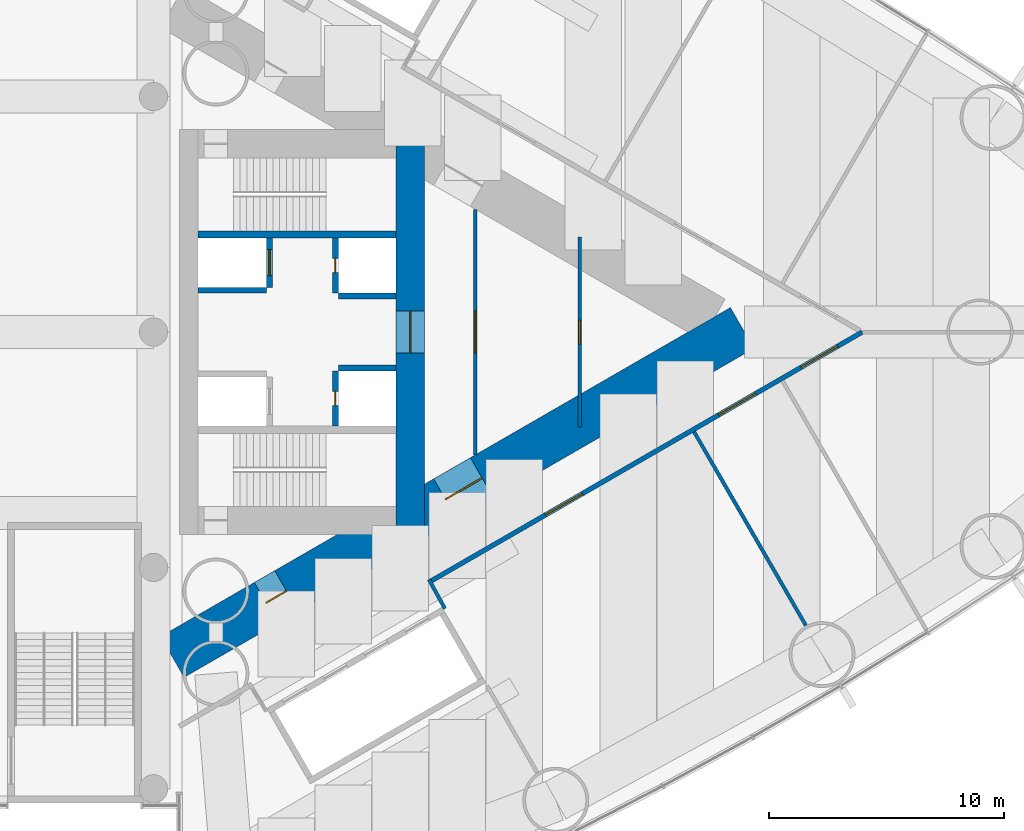
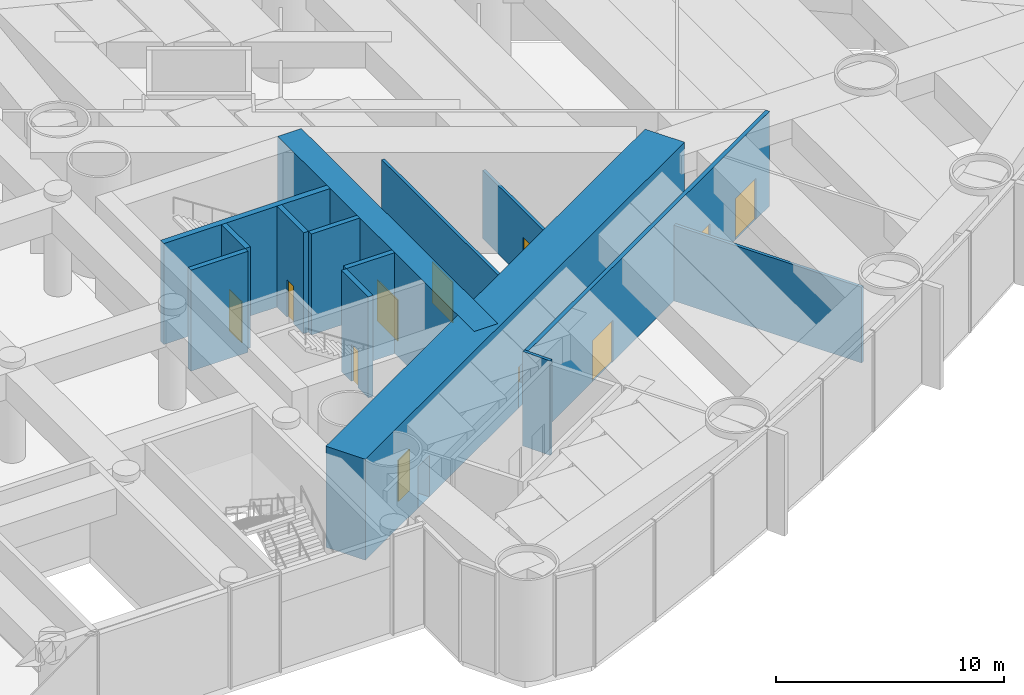
# One storey, part 17 of 20: 14 walls, 11 doors, 11 openings.
"""IFC4 building model written with IfcOpenShell, lengths in metres."""

from ifc_helpers import new_model, si_unit, direction, frame, frame_2d, origin, place, context, subcontext, project, spatial, rectangle, extrude, material, layer, layer_set, type_object, element, fill, save


model = new_model("IFC4")

# Units and contexts
model_context = context("Model", 3, precision=1e-05, world=origin(), true_north=direction((0.0, 1.0)))
body_context = subcontext(model_context, "Body", "Model", "MODEL_VIEW")
ifc_project = project(units=[si_unit("LENGTHUNIT", "METRE"), si_unit("AREAUNIT", "SQUARE_METRE"), si_unit("VOLUMEUNIT", "CUBIC_METRE"), si_unit("PLANEANGLEUNIT", "RADIAN"), si_unit("MASSUNIT", "GRAM", prefix="KILO")], contexts=[model_context])

# Site, building, storey
site_placement = place(None, origin())
site = spatial("IfcSite", under=ifc_project, at=site_placement, CompositionType="ELEMENT")
building_placement = place(site_placement, origin())
building = spatial("IfcBuilding", under=site, at=building_placement, Name="Lancet Gate Hotel", CompositionType="ELEMENT")
storey_placement = place(building_placement, frame((0.0, 0.0, 7.199951171875)))
storey = spatial("IfcBuildingStorey", under=building, at=storey_placement, Name="L01", CompositionType="ELEMENT", Elevation=7.199951171875)

# Wall, openings, doors
ifc_material_1 = material(Name="Concrete C70/85", Category="concrete")
ifc_layer_1 = layer(ifc_material_1, 2.0)
ifc_layer_set_1 = layer_set([ifc_layer_1], Name="Buttress wall 2000")
wall_type_1 = type_object("IfcWallType", Name="Buttress wall 2000", PredefinedType="SHEAR", material=ifc_layer_set_1)
wall_1_placement = place(storey_placement, frame((27.199951171875, -13.800048828125, 0.0), z_axis=(0.0, 0.0, 1.0), x_axis=(0.866027159892, 0.499996958321, 0.0)))
wall_1 = element("IfcWall", 1, at=wall_1_placement, inside=storey, type_object=wall_type_1, Name="T2 buttress wall S L01", PredefinedType="SHEAR", context=body_context, shape_type="SweptSolid", body=[
    extrude(rectangle(XDim=27.946533203125, YDim=2.0, at=frame_2d((13.97314453125, 0.0))), origin(), (0.0, 0.0, 1.0), 5.400146484375),
])
opening_1_placement = place(wall_1_placement, frame((4.60009765625, 0.0, 0.0)))
opening_1 = element("IfcOpeningElement", 2, at=opening_1_placement, cuts=wall_1, Name="Opening T2-L01-LS", PredefinedType="OPENING", context=body_context, shape_type="SweptSolid", body=[
    extrude(rectangle(XDim=1.0, YDim=2.199951171875, at=frame_2d((0.5, 1.10009765625))), frame((0.0, 1.010009765625, 0.0), z_axis=(0.0, -1.0, 0.0), x_axis=(1.0, 0.0, 0.0)), (0.0, 0.0, 1.0), 2.02001953125),
])
opening_2_placement = place(wall_1_placement, frame((13.39453125, 0.0, 0.0)))
opening_2 = element("IfcOpeningElement", 3, at=opening_2_placement, cuts=wall_1, Name="Opening T2-L01-LHS", PredefinedType="OPENING", context=body_context, shape_type="SweptSolid", body=[
    extrude(rectangle(XDim=1.800048828125, YDim=2.199951171875, at=frame_2d((0.89990234375, 1.10009765625))), frame((0.0, 1.010009765625, 0.0), z_axis=(0.0, -1.0, 0.0), x_axis=(1.0, 0.0, 0.0)), (0.0, 0.0, 1.0), 2.02001953125),
])
ifc_material_2 = material(Name="Timber door set", Category="wood")
door_type_1 = type_object("IfcDoorType", Name="Lobby double door 1800", OperationType="DOUBLE_DOOR_SINGLE_SWING", PredefinedType="DOOR", material=ifc_material_2)
door_1_placement = place(opening_2_placement, origin())
door_1 = element("IfcDoor", 4, at=door_1_placement, inside=storey, type_object=door_type_1, Name="T2-L01-LHS", OperationType="DOUBLE_DOOR_SINGLE_SWING", OverallHeight=2.199951171875, OverallWidth=1.800048828125, PredefinedType="DOOR", context=body_context, shape_type="SweptSolid", body=[
    extrude(rectangle(XDim=1.800048828125, YDim=2.199951171875, at=frame_2d((0.89990234375, 1.10009765625))), frame((0.0, 0.02490234375, 0.0), z_axis=(0.0, -1.0, 0.0), x_axis=(1.0, 0.0, 0.0)), (0.0, 0.0, 1.0), 0.050048828125),
])
fill(opening_2, door_1)
ifc_material_3 = material(Name="Timber door set", Category="wood")
door_type_2 = type_object("IfcDoorType", Name="Stair lobby door 1000", OperationType="SINGLE_SWING_LEFT", PredefinedType="DOOR", material=ifc_material_3)
door_2_placement = place(opening_1_placement, origin())
door_2 = element("IfcDoor", 5, at=door_2_placement, inside=storey, type_object=door_type_2, Name="T2-L01-LS", OperationType="SINGLE_SWING_LEFT", OverallHeight=2.199951171875, OverallWidth=1.0, PredefinedType="DOOR", context=body_context, shape_type="SweptSolid", body=[
    extrude(rectangle(XDim=1.0, YDim=2.199951171875, at=frame_2d((0.5, 1.10009765625))), frame((0.0, 0.02490234375, 0.0), z_axis=(0.0, -1.0, 0.0), x_axis=(1.0, 0.0, 0.0)), (0.0, 0.0, 1.0), 0.050048828125),
])
fill(opening_1, door_2)

# Wall, opening, door
ifc_material_4 = material(Name="Concrete C70/85", Category="concrete")
ifc_layer_2 = layer(ifc_material_4, 1.199951171875)
ifc_layer_set_2 = layer_set([ifc_layer_2], Name="Core wall 1200")
wall_type_2 = type_object("IfcWallType", Name="Core wall 1200", PredefinedType="SHEAR", material=ifc_layer_set_2)
wall_2_placement = place(storey_placement, frame((37.300048828125, -8.60009765625, 0.0), z_axis=(0.0, 0.0, 1.0), x_axis=(0.0, 1.0, 0.0)))
wall_2 = element("IfcWall", 6, at=wall_2_placement, inside=storey, type_object=wall_type_2, Name="T2 core wall back L01", PredefinedType="SHEAR", context=body_context, shape_type="SweptSolid", body=[
    extrude(rectangle(XDim=17.2001953125, YDim=1.199951171875, at=frame_2d((8.60009765625, 0.0))), origin(), (0.0, 0.0, 1.0), 5.400146484375),
])
opening_3_placement = place(wall_2_placement, frame((7.699951171875, 0.0, 0.0)))
opening_3 = element("IfcOpeningElement", 7, at=opening_3_placement, cuts=wall_2, Name="Opening T2-L01-LL", PredefinedType="OPENING", context=body_context, shape_type="SweptSolid", body=[
    extrude(rectangle(XDim=1.800048828125, YDim=2.199951171875, at=frame_2d((0.89990234375, 1.10009765625))), frame((0.0, 0.60986328125, 0.0), z_axis=(0.0, -1.0, 0.0), x_axis=(1.0, 0.0, 0.0)), (0.0, 0.0, 1.0), 1.219970703125),
])
door_3_placement = place(opening_3_placement, origin())
door_3 = element("IfcDoor", 8, at=door_3_placement, inside=storey, type_object=door_type_1, Name="T2-L01-LL", OperationType="DOUBLE_DOOR_SINGLE_SWING", OverallHeight=2.199951171875, OverallWidth=1.800048828125, PredefinedType="DOOR", context=body_context, shape_type="SweptSolid", body=[
    extrude(rectangle(XDim=1.800048828125, YDim=2.199951171875, at=frame_2d((0.89990234375, 1.10009765625))), frame((0.0, 0.02490234375, 0.0), z_axis=(0.0, -1.0, 0.0), x_axis=(1.0, 0.0, 0.0)), (0.0, 0.0, 1.0), 0.050048828125),
])
fill(opening_3, door_3)

# Wall, openings, doors
ifc_material_5 = material(Name="Gypsum board partition")
ifc_layer_3 = layer(ifc_material_5, 0.199951171875)
ifc_layer_set_3 = layer_set([ifc_layer_3], Name="Corridor wall 200")
wall_type_3 = type_object("IfcWallType", Name="Corridor wall 200", PredefinedType="PARTITIONING", material=ifc_layer_set_3)
wall_3_placement = place(storey_placement, frame((38.159912109375, -10.58984375, 0.0), z_axis=(0.0, 0.0, 1.0), x_axis=(0.866027029586, 0.499997184019, 0.0)))
wall_3 = element("IfcWall", 9, at=wall_3_placement, inside=storey, type_object=wall_type_3, Name="T2 corridor wall 200 L01", PredefinedType="PARTITIONING", context=body_context, shape_type="SweptSolid", body=[
    extrude(rectangle(XDim=21.1796875, YDim=0.199951171875, at=frame_2d((10.58984375, 0.0))), origin(), (0.0, 0.0, 1.0), 5.050048828125),
])
opening_4_placement = place(wall_3_placement, frame((14.142333984375, 0.0, 0.0)))
opening_4 = element("IfcOpeningElement", 10, at=opening_4_placement, cuts=wall_3, Name="Opening T2-L01-P103", PredefinedType="OPENING", context=body_context, shape_type="SweptSolid", body=[
    extrude(rectangle(XDim=1.800048828125, YDim=2.199951171875, at=frame_2d((0.89990234375, 1.10009765625))), frame((0.0, 0.10986328125, 0.0), z_axis=(0.0, -1.0, 0.0), x_axis=(1.0, 0.0, 0.0)), (0.0, 0.0, 1.0), 0.219970703125),
])
opening_5_placement = place(wall_3_placement, frame((18.1826171875, 0.0, 0.0)))
opening_5 = element("IfcOpeningElement", 11, at=opening_5_placement, cuts=wall_3, Name="Opening T2-L01-P104", PredefinedType="OPENING", context=body_context, shape_type="SweptSolid", body=[
    extrude(rectangle(XDim=1.800048828125, YDim=2.199951171875, at=frame_2d((0.89990234375, 1.10009765625))), frame((0.0, 0.10986328125, 0.0), z_axis=(0.0, -1.0, 0.0), x_axis=(1.0, 0.0, 0.0)), (0.0, 0.0, 1.0), 0.219970703125),
])
opening_6_placement = place(wall_3_placement, frame((5.649658203125, 0.0, 0.0)))
opening_6 = element("IfcOpeningElement", 12, at=opening_6_placement, cuts=wall_3, Name="Opening T2-L01-P102", PredefinedType="OPENING", context=body_context, shape_type="SweptSolid", body=[
    extrude(rectangle(XDim=1.800048828125, YDim=2.199951171875, at=frame_2d((0.89990234375, 1.10009765625))), frame((0.0, 0.10986328125, 0.0), z_axis=(0.0, -1.0, 0.0), x_axis=(1.0, 0.0, 0.0)), (0.0, 0.0, 1.0), 0.219970703125),
])
ifc_material_6 = material(Name="Timber door set", Category="wood")
door_type_3 = type_object("IfcDoorType", Name="Double door 1800", OperationType="DOUBLE_DOOR_SINGLE_SWING", PredefinedType="DOOR", material=ifc_material_6)
door_4_placement = place(opening_4_placement, origin())
door_4 = element("IfcDoor", 13, at=door_4_placement, inside=storey, type_object=door_type_3, Name="T2-L01-P103", OperationType="DOUBLE_DOOR_SINGLE_SWING", OverallHeight=2.199951171875, OverallWidth=1.800048828125, PredefinedType="DOOR", context=body_context, shape_type="SweptSolid", body=[
    extrude(rectangle(XDim=1.800048828125, YDim=2.199951171875, at=frame_2d((0.89990234375, 1.10009765625))), frame((0.0, 0.02490234375, 0.0), z_axis=(0.0, -1.0, 0.0), x_axis=(1.0, 0.0, 0.0)), (0.0, 0.0, 1.0), 0.050048828125),
])
fill(opening_4, door_4)
door_5_placement = place(opening_5_placement, origin())
door_5 = element("IfcDoor", 14, at=door_5_placement, inside=storey, type_object=door_type_3, Name="T2-L01-P104", OperationType="DOUBLE_DOOR_SINGLE_SWING", OverallHeight=2.199951171875, OverallWidth=1.800048828125, PredefinedType="DOOR", context=body_context, shape_type="SweptSolid", body=[
    extrude(rectangle(XDim=1.800048828125, YDim=2.199951171875, at=frame_2d((0.89990234375, 1.10009765625))), frame((0.0, 0.02490234375, 0.0), z_axis=(0.0, -1.0, 0.0), x_axis=(1.0, 0.0, 0.0)), (0.0, 0.0, 1.0), 0.050048828125),
])
fill(opening_5, door_5)
door_6_placement = place(opening_6_placement, origin())
door_6 = element("IfcDoor", 15, at=door_6_placement, inside=storey, type_object=door_type_3, Name="T2-L01-P102", OperationType="DOUBLE_DOOR_SINGLE_SWING", OverallHeight=2.199951171875, OverallWidth=1.800048828125, PredefinedType="DOOR", context=body_context, shape_type="SweptSolid", body=[
    extrude(rectangle(XDim=1.800048828125, YDim=2.199951171875, at=frame_2d((0.89990234375, 1.10009765625))), frame((0.0, 0.02490234375, 0.0), z_axis=(0.0, -1.0, 0.0), x_axis=(1.0, 0.0, 0.0)), (0.0, 0.0, 1.0), 0.050048828125),
])
fill(opening_6, door_6)

# Wall, opening, door
ifc_material_7 = material(Name="Concrete C50/60", Category="concrete")
ifc_layer_4 = layer(ifc_material_7, 0.25)
ifc_layer_set_4 = layer_set([ifc_layer_4], Name="Lift shaft wall 250")
wall_type_4 = type_object("IfcWallType", Name="Lift shaft wall 250", PredefinedType="SHEAR", material=ifc_layer_set_4)
wall_4_placement = place(storey_placement, frame((34.125, -4.0, 0.0), z_axis=(0.0, 0.0, 1.0), x_axis=(0.0, 1.0, 0.0)))
wall_4 = element("IfcWall", 16, at=wall_4_placement, inside=storey, type_object=wall_type_4, Name="T2 core wall row2-S L01", PredefinedType="SHEAR", context=body_context, shape_type="SweptSolid", body=[
    extrude(rectangle(XDim=2.35009765625, YDim=0.25, at=frame_2d((1.175048828125, 0.0))), origin(), (0.0, 0.0, 1.0), 5.400146484375),
])
opening_7_placement = place(wall_4_placement, frame((0.875, 0.0, 0.0)))
opening_7 = element("IfcOpeningElement", 17, at=opening_7_placement, cuts=wall_4, Name="Opening T2-OL3-L01-E", PredefinedType="OPENING", context=body_context, shape_type="SweptSolid", body=[
    extrude(rectangle(XDim=0.60009765625, YDim=2.0, at=frame_2d((0.300048828125, 1.0))), frame((0.0, 0.135009765625, 0.0), z_axis=(0.0, -1.0, 0.0), x_axis=(1.0, 0.0, 0.0)), (0.0, 0.0, 1.0), 0.27001953125),
])
ifc_material_8 = material(Name="Steel door set", Category="steel")
door_type_4 = type_object("IfcDoorType", Name="Lift shaft emergency door 600x2000", OperationType="SLIDING_TO_LEFT", PredefinedType="DOOR", material=ifc_material_8)
door_7_placement = place(opening_7_placement, origin())
door_7 = element("IfcDoor", 18, at=door_7_placement, inside=storey, type_object=door_type_4, Name="T2-OL3-L01-E", OperationType="SLIDING_TO_LEFT", OverallHeight=2.0, OverallWidth=0.60009765625, PredefinedType="DOOR", context=body_context, shape_type="SweptSolid", body=[
    extrude(rectangle(XDim=0.60009765625, YDim=2.0, at=frame_2d((0.300048828125, 1.0))), frame((0.0, 0.02490234375, 0.0), z_axis=(0.0, -1.0, 0.0), x_axis=(1.0, 0.0, 0.0)), (0.0, 0.0, 1.0), 0.050048828125),
])
fill(opening_7, door_7)

# Wall
wall_5_placement = place(storey_placement, frame((34.25, -1.52490234375, 0.0), z_axis=(0.0, 0.0, 1.0), x_axis=(1.0, 0.0, 0.0)))
element("IfcWall", 19, at=wall_5_placement, inside=storey, type_object=wall_type_4, Name="T2 core wall pass2-S L01", PredefinedType="SHEAR", context=body_context, shape_type="SweptSolid", body=[
    extrude(rectangle(XDim=2.449951171875, YDim=0.25, at=frame_2d((1.22509765625, 0.0))), origin(), (0.0, 0.0, 1.0), 5.400146484375),
])

# Wall, opening, door
wall_6_placement = place(storey_placement, frame((31.324951171875, 1.89990234375, 0.0), z_axis=(0.0, 0.0, 1.0), x_axis=(0.0, 1.0, 0.0)))
wall_6 = element("IfcWall", 20, at=wall_6_placement, inside=storey, type_object=wall_type_4, Name="T2 core wall row1-N L01", PredefinedType="SHEAR", context=body_context, shape_type="SweptSolid", body=[
    extrude(rectangle(XDim=2.10009765625, YDim=0.25, at=frame_2d((1.050048828125, 0.0))), origin(), (0.0, 0.0, 1.0), 5.400146484375),
])
opening_8_placement = place(wall_6_placement, frame((0.5, 0.0, 0.0)))
opening_8 = element("IfcOpeningElement", 21, at=opening_8_placement, cuts=wall_6, Name="Opening T2-FL2-L01", PredefinedType="OPENING", context=body_context, shape_type="SweptSolid", body=[
    extrude(rectangle(XDim=1.10009765625, YDim=2.199951171875, at=frame_2d((0.550048828125, 1.10009765625))), frame((0.0, 0.135009765625, 0.0), z_axis=(0.0, -1.0, 0.0), x_axis=(1.0, 0.0, 0.0)), (0.0, 0.0, 1.0), 0.27001953125),
])
ifc_material_9 = material(Name="Steel door set", Category="steel")
door_type_5 = type_object("IfcDoorType", Name="Firefighting lift landing door 1100", OperationType="SLIDING_TO_LEFT", PredefinedType="USERDEFINED", material=ifc_material_9)
door_8_placement = place(opening_8_placement, origin())
door_8 = element("IfcDoor", 22, at=door_8_placement, inside=storey, type_object=door_type_5, Name="T2-FL2-L01", ObjectType="LIFT LANDING DOOR", OperationType="SLIDING_TO_LEFT", OverallHeight=2.199951171875, OverallWidth=1.10009765625, PredefinedType="USERDEFINED", context=body_context, shape_type="SweptSolid", body=[
    extrude(rectangle(XDim=1.10009765625, YDim=2.199951171875, at=frame_2d((0.550048828125, 1.10009765625))), frame((0.0, 0.02490234375, 0.0), z_axis=(0.0, -1.0, 0.0), x_axis=(1.0, 0.0, 0.0)), (0.0, 0.0, 1.0), 0.050048828125),
])
fill(opening_8, door_8)

wall_7_placement = place(storey_placement, frame((34.125, 1.64990234375, 0.0), z_axis=(0.0, 0.0, 1.0), x_axis=(0.0, 1.0, 0.0)))
wall_7 = element("IfcWall", 23, at=wall_7_placement, inside=storey, type_object=wall_type_4, Name="T2 core wall row2-N L01", PredefinedType="SHEAR", context=body_context, shape_type="SweptSolid", body=[
    extrude(rectangle(XDim=2.35009765625, YDim=0.25, at=frame_2d((1.175048828125, 0.0))), origin(), (0.0, 0.0, 1.0), 5.400146484375),
])
opening_9_placement = place(wall_7_placement, frame((0.875, 0.0, 0.0)))
opening_9 = element("IfcOpeningElement", 24, at=opening_9_placement, cuts=wall_7, Name="Opening T2-OL4-L01-E", PredefinedType="OPENING", context=body_context, shape_type="SweptSolid", body=[
    extrude(rectangle(XDim=0.60009765625, YDim=2.0, at=frame_2d((0.300048828125, 1.0))), frame((0.0, 0.135009765625, 0.0), z_axis=(0.0, -1.0, 0.0), x_axis=(1.0, 0.0, 0.0)), (0.0, 0.0, 1.0), 0.27001953125),
])
door_9_placement = place(opening_9_placement, origin())
door_9 = element("IfcDoor", 25, at=door_9_placement, inside=storey, type_object=door_type_4, Name="T2-OL4-L01-E", OperationType="SLIDING_TO_LEFT", OverallHeight=2.0, OverallWidth=0.60009765625, PredefinedType="DOOR", context=body_context, shape_type="SweptSolid", body=[
    extrude(rectangle(XDim=0.60009765625, YDim=2.0, at=frame_2d((0.300048828125, 1.0))), frame((0.0, 0.02490234375, 0.0), z_axis=(0.0, -1.0, 0.0), x_axis=(1.0, 0.0, 0.0)), (0.0, 0.0, 1.0), 0.050048828125),
])
fill(opening_9, door_9)

# Walls
wall_8_placement = place(storey_placement, frame((28.300048828125, 1.77490234375, 0.0), z_axis=(0.0, 0.0, 1.0), x_axis=(1.0, 0.0, 0.0)))
element("IfcWall", 26, at=wall_8_placement, inside=storey, type_object=wall_type_4, Name="T2 core wall pass1-N L01", PredefinedType="SHEAR", context=body_context, shape_type="SweptSolid", body=[
    extrude(rectangle(XDim=2.89990234375, YDim=0.25, at=frame_2d((1.449951171875, 0.0))), origin(), (0.0, 0.0, 1.0), 5.400146484375),
])
wall_9_placement = place(storey_placement, frame((34.25, 1.52490234375, 0.0), z_axis=(0.0, 0.0, 1.0), x_axis=(1.0, 0.0, 0.0)))
element("IfcWall", 27, at=wall_9_placement, inside=storey, type_object=wall_type_4, Name="T2 core wall pass2-N L01", PredefinedType="SHEAR", context=body_context, shape_type="SweptSolid", body=[
    extrude(rectangle(XDim=2.449951171875, YDim=0.25, at=frame_2d((1.22509765625, 0.0))), origin(), (0.0, 0.0, 1.0), 5.400146484375),
])
ifc_material_10 = material(Name="Gypsum board partition")
ifc_layer_5 = layer(ifc_material_10, 0.14990234375)
ifc_layer_set_5 = layer_set([ifc_layer_5], Name="Party wall 150")
wall_type_5 = type_object("IfcWallType", Name="Party wall 150", PredefinedType="PARTITIONING", material=ifc_layer_set_5)
wall_10_placement = place(storey_placement, frame((49.359619140625, -4.2392578125, 0.0), z_axis=(0.0, 0.0, 1.0), x_axis=(0.499984446848, -0.866034383215, 0.0)))
element("IfcWall", 28, at=wall_10_placement, inside=storey, type_object=wall_type_5, Name="T2 party wall 150 L01", PredefinedType="PARTITIONING", context=body_context, shape_type="SweptSolid", body=[
    extrude(rectangle(XDim=9.491455078125, YDim=0.14990234375, at=frame_2d((4.74560546875, 0.0))), origin(), (0.0, 0.0, 1.0), 4.050048828125),
])
ifc_material_11 = material(Name="Gypsum board partition")
ifc_layer_6 = layer(ifc_material_11, 0.14990234375)
ifc_layer_set_6 = layer_set([ifc_layer_6], Name="Service room wall 150")
wall_type_6 = type_object("IfcWallType", Name="Service room wall 150", PredefinedType="PARTITIONING", material=ifc_layer_set_6)
wall_11_placement = place(storey_placement, frame((38.7734375, -11.742431640625, 0.0), z_axis=(0.0, 0.0, 1.0), x_axis=(-0.481418475768, 0.876490873421, 0.0)))
element("IfcWall", 29, at=wall_11_placement, inside=storey, type_object=wall_type_6, Name="T2 service room wall 150 L01", PredefinedType="PARTITIONING", context=body_context, shape_type="SweptSolid", body=[
    extrude(rectangle(XDim=1.4052734375, YDim=0.14990234375, at=frame_2d((0.70263671875, 0.0))), origin(), (0.0, 0.0, 1.0), 5.050048828125),
])

# Wall, opening, door
wall_12_placement = place(storey_placement, frame((40.074951171875, -5.2119140625, 0.0), z_axis=(0.0, 0.0, 1.0), x_axis=(0.0, 1.0, 0.0)))
wall_12 = element("IfcWall", 30, at=wall_12_placement, inside=storey, type_object=wall_type_6, Name="T2 service room wall 150 L01", PredefinedType="PARTITIONING", context=body_context, shape_type="SweptSolid", body=[
    extrude(rectangle(XDim=10.423828125, YDim=0.14990234375, at=frame_2d((5.2119140625, 0.0))), origin(), (0.0, 0.0, 1.0), 5.050048828125),
])
opening_10_placement = place(wall_12_placement, frame((4.311767578125, 0.0, 0.0)))
opening_10 = element("IfcOpeningElement", 31, at=opening_10_placement, cuts=wall_12, Name="Opening T2-L01-LH", PredefinedType="OPENING", context=body_context, shape_type="SweptSolid", body=[
    extrude(rectangle(XDim=1.800048828125, YDim=2.199951171875, at=frame_2d((0.89990234375, 1.10009765625))), frame((0.0, 0.0849609375, 0.0), z_axis=(0.0, -1.0, 0.0), x_axis=(1.0, 0.0, 0.0)), (0.0, 0.0, 1.0), 0.169921875),
])
door_10_placement = place(opening_10_placement, origin())
door_10 = element("IfcDoor", 32, at=door_10_placement, inside=storey, type_object=door_type_1, Name="T2-L01-LH", OperationType="DOUBLE_DOOR_SINGLE_SWING", OverallHeight=2.199951171875, OverallWidth=1.800048828125, PredefinedType="DOOR", context=body_context, shape_type="SweptSolid", body=[
    extrude(rectangle(XDim=1.800048828125, YDim=2.199951171875, at=frame_2d((0.89990234375, 1.10009765625))), frame((0.0, 0.02490234375, 0.0), z_axis=(0.0, -1.0, 0.0), x_axis=(1.0, 0.0, 0.0)), (0.0, 0.0, 1.0), 0.050048828125),
])
fill(opening_10, door_10)

wall_13_placement = place(storey_placement, frame((44.5, -4.042724609375, 0.0), z_axis=(0.0, 0.0, 1.0), x_axis=(0.0, 1.0, 0.0)))
wall_13 = element("IfcWall", 33, at=wall_13_placement, inside=storey, type_object=wall_type_6, Name="T2 service room wall 150 L01", PredefinedType="PARTITIONING", context=body_context, shape_type="SweptSolid", body=[
    extrude(rectangle(XDim=8.08544921875, YDim=0.14990234375, at=frame_2d((4.042724609375, 0.0))), origin(), (0.0, 0.0, 1.0), 3.650146484375),
])
opening_11_placement = place(wall_13_placement, frame((3.542724609375, 0.0, 0.0)))
opening_11 = element("IfcOpeningElement", 34, at=opening_11_placement, cuts=wall_13, Name="Opening T2-L01-SV", PredefinedType="OPENING", context=body_context, shape_type="SweptSolid", body=[
    extrude(rectangle(XDim=1.0, YDim=2.199951171875, at=frame_2d((0.5, 1.10009765625))), frame((0.0, 0.0849609375, 0.0), z_axis=(0.0, -1.0, 0.0), x_axis=(1.0, 0.0, 0.0)), (0.0, 0.0, 1.0), 0.169921875),
])
ifc_material_12 = material(Name="Timber door set", Category="wood")
door_type_6 = type_object("IfcDoorType", Name="Service door 1000", OperationType="SINGLE_SWING_LEFT", PredefinedType="DOOR", material=ifc_material_12)
door_11_placement = place(opening_11_placement, origin())
door_11 = element("IfcDoor", 35, at=door_11_placement, inside=storey, type_object=door_type_6, Name="T2-L01-SV", OperationType="SINGLE_SWING_LEFT", OverallHeight=2.199951171875, OverallWidth=1.0, PredefinedType="DOOR", context=body_context, shape_type="SweptSolid", body=[
    extrude(rectangle(XDim=1.0, YDim=2.199951171875, at=frame_2d((0.5, 1.10009765625))), frame((0.0, 0.02490234375, 0.0), z_axis=(0.0, -1.0, 0.0), x_axis=(1.0, 0.0, 0.0)), (0.0, 0.0, 1.0), 0.050048828125),
])
fill(opening_11, door_11)

# Wall
ifc_material_13 = material(Name="Concrete C50/60", Category="concrete")
ifc_layer_7 = layer(ifc_material_13, 0.300048828125)
ifc_layer_set_7 = layer_set([ifc_layer_7], Name="Stair enclosure wall 300")
wall_type_7 = type_object("IfcWallType", Name="Stair enclosure wall 300", PredefinedType="SHEAR", material=ifc_layer_set_7)
wall_14_placement = place(storey_placement, frame((28.300048828125, 4.14990234375, 0.0), z_axis=(0.0, 0.0, 1.0), x_axis=(1.0, 0.0, 0.0)))
element("IfcWall", 36, at=wall_14_placement, inside=storey, type_object=wall_type_7, Name="T2 core wall stair-N L01", PredefinedType="SHEAR", context=body_context, shape_type="SweptSolid", body=[
    extrude(rectangle(XDim=8.39990234375, YDim=0.300048828125, at=frame_2d((4.199951171875, 0.0))), origin(), (0.0, 0.0, 1.0), 5.400146484375),
])

save(model, "model.ifc")
